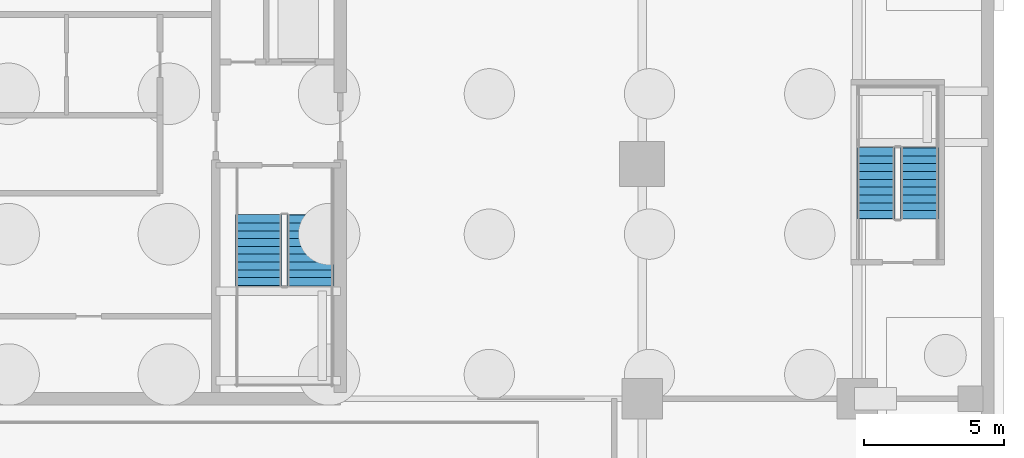
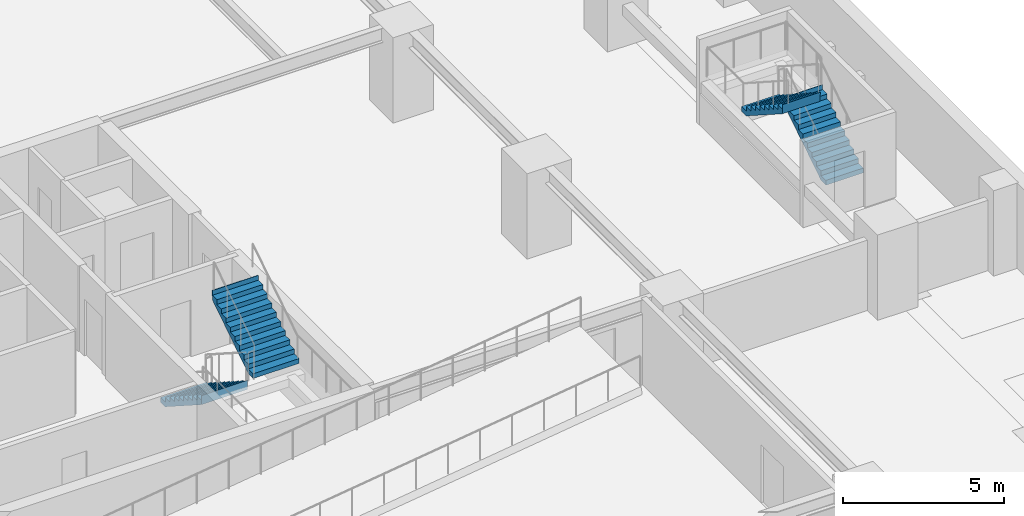
# One storey, part 7 of 12: 4 stair flights, 2 elements without a shape of their own.
"""IFC4 building model written with IfcOpenShell, lengths in metres."""

from ifc_helpers import new_model, si_unit, direction, frame, origin, place, context, subcontext, project, spatial, polygons, material, type_object, element, aggregate, save


model = new_model("IFC4")

# Units and contexts
model_context = context("Model", 3, precision=1e-05, world=origin(), true_north=direction((0.0, 1.0)))
body_context = subcontext(model_context, "Body", "Model", "MODEL_VIEW")
ifc_project = project(units=[si_unit("LENGTHUNIT", "METRE"), si_unit("AREAUNIT", "SQUARE_METRE"), si_unit("VOLUMEUNIT", "CUBIC_METRE"), si_unit("PLANEANGLEUNIT", "RADIAN"), si_unit("MASSUNIT", "GRAM", prefix="KILO")], contexts=[model_context])

# Site, building, storey
site_placement = place(None, origin())
site = spatial("IfcSite", under=ifc_project, at=site_placement, CompositionType="ELEMENT")
building_placement = place(site_placement, origin())
building = spatial("IfcBuilding", under=site, at=building_placement, Name="Serunith Strait Residences", CompositionType="ELEMENT")
storey_placement = place(building_placement, frame((0.0, 0.0, -10.800048828125)))
storey = spatial("IfcBuildingStorey", under=building, at=storey_placement, Name="B03", CompositionType="ELEMENT", Elevation=-10.800048828125)

# Stair, stair flights
ifc_material = material(Name="Concrete C50/60", Category="concrete")
stair_type_1 = type_object("IfcStairType", Name="STR-BSMT-6", PredefinedType="HALF_TURN_STAIR", material=ifc_material)
stair_1_placement = place(storey_placement, origin())
stair_1 = element("IfcStair", 1, at=stair_1_placement, inside=storey, type_object=stair_type_1, Name="B03 Basement Escape Stair ST-6", PredefinedType="HALF_TURN_STAIR")
stair_flight_type_1 = type_object("IfcStairFlightType", Name="FLT-BSMT-6", PredefinedType="STRAIGHT", material=ifc_material)
stair_flight_1_placement = place(storey_placement, frame((62.125, 23.25, 0.0), z_axis=(0.0, 0.0, 1.0), x_axis=(0.0, 1.0, 0.0)))
stair_flight_1 = element("IfcStairFlight", 2, at=stair_flight_1_placement, type_object=stair_flight_type_1, Name="ST-6 flight 1", NumberOfRisers=10, NumberOfTreads=9, PredefinedType="STRAIGHT", RiserHeight=0.18, TreadLength=0.28, context=body_context, shape_type="Tessellation", body=[
    polygons([(-0.02001953125, -0.675048828125, 0.0), (-0.02001953125, -0.675048828125, 0.179931640625), (0.280029296875, -0.675048828125, 0.179931640625), (0.280029296875, -0.675048828125, 0.360107421875), (0.56005859375, -0.675048828125, 0.360107421875), (0.56005859375, -0.675048828125, 0.5400390625), (0.840087890625, -0.675048828125, 0.5400390625), (0.840087890625, -0.675048828125, 0.719970703125), (1.1201171875, -0.675048828125, 0.719970703125), (1.1201171875, -0.675048828125, 0.89990234375), (1.39990234375, -0.675048828125, 0.89990234375), (1.39990234375, -0.675048828125, 1.080078125), (1.679931640625, -0.675048828125, 1.080078125), (1.679931640625, -0.675048828125, 1.260009765625), (1.9599609375, -0.675048828125, 1.260009765625), (1.9599609375, -0.675048828125, 1.43994140625), (2.239990234375, -0.675048828125, 1.43994140625), (2.239990234375, -0.675048828125, 1.6201171875), (2.52001953125, -0.675048828125, 1.6201171875), (2.52001953125, -0.675048828125, 1.800048828125), (2.5400390625, -0.675048828125, 1.800048828125), (2.5400390625, -0.675048828125, 1.739990234375), (2.52001953125, -0.675048828125, 1.44189453125), (0.277099609375, -0.675048828125, 0.0), (-0.02001953125, -0.33740234375, 0.0), (-0.02001953125, -0.33740234375, 0.179931640625), (0.280029296875, -0.33740234375, 0.179931640625), (0.280029296875, -0.33740234375, 0.360107421875), (0.56005859375, -0.33740234375, 0.360107421875), (0.56005859375, -0.33740234375, 0.5400390625), (0.840087890625, -0.33740234375, 0.5400390625), (0.840087890625, -0.33740234375, 0.719970703125), (1.1201171875, -0.33740234375, 0.719970703125), (1.1201171875, -0.33740234375, 0.89990234375), (1.39990234375, -0.33740234375, 0.89990234375), (1.39990234375, -0.33740234375, 1.080078125), (1.679931640625, -0.33740234375, 1.080078125), (1.679931640625, -0.33740234375, 1.260009765625), (1.9599609375, -0.33740234375, 1.260009765625), (1.9599609375, -0.33740234375, 1.43994140625), (2.239990234375, -0.33740234375, 1.43994140625), (2.239990234375, -0.33740234375, 1.6201171875), (2.52001953125, -0.33740234375, 1.6201171875), (2.52001953125, -0.33740234375, 1.800048828125), (2.5400390625, -0.33740234375, 1.800048828125), (2.5400390625, -0.33740234375, 1.739990234375), (2.52001953125, -0.33740234375, 1.44189453125), (0.277099609375, -0.33740234375, 0.0), (-0.02001953125, 0.0, 0.0), (-0.02001953125, 0.0, 0.179931640625), (0.280029296875, 0.0, 0.179931640625), (0.280029296875, 0.0, 0.360107421875), (0.56005859375, 0.0, 0.360107421875), (0.56005859375, 0.0, 0.5400390625), (0.840087890625, 0.0, 0.5400390625), (0.840087890625, 0.0, 0.719970703125), (1.1201171875, 0.0, 0.719970703125), (1.1201171875, 0.0, 0.89990234375), (1.39990234375, 0.0, 0.89990234375), (1.39990234375, 0.0, 1.080078125), (1.679931640625, 0.0, 1.080078125), (1.679931640625, 0.0, 1.260009765625), (1.9599609375, 0.0, 1.260009765625), (1.9599609375, 0.0, 1.43994140625), (2.239990234375, 0.0, 1.43994140625), (2.239990234375, 0.0, 1.6201171875), (2.52001953125, 0.0, 1.6201171875), (2.52001953125, 0.0, 1.800048828125), (2.5400390625, 0.0, 1.800048828125), (2.5400390625, 0.0, 1.739990234375), (2.52001953125, 0.0, 1.44189453125), (0.277099609375, 0.0, 0.0), (-0.02001953125, 0.33740234375, 0.0), (-0.02001953125, 0.33740234375, 0.179931640625), (0.280029296875, 0.33740234375, 0.179931640625), (0.280029296875, 0.33740234375, 0.360107421875), (0.56005859375, 0.33740234375, 0.360107421875), (0.56005859375, 0.33740234375, 0.5400390625), (0.840087890625, 0.33740234375, 0.5400390625), (0.840087890625, 0.33740234375, 0.719970703125), (1.1201171875, 0.33740234375, 0.719970703125), (1.1201171875, 0.33740234375, 0.89990234375), (1.39990234375, 0.33740234375, 0.89990234375), (1.39990234375, 0.33740234375, 1.080078125), (1.679931640625, 0.33740234375, 1.080078125), (1.679931640625, 0.33740234375, 1.260009765625), (1.9599609375, 0.33740234375, 1.260009765625), (1.9599609375, 0.33740234375, 1.43994140625), (2.239990234375, 0.33740234375, 1.43994140625), (2.239990234375, 0.33740234375, 1.6201171875), (2.52001953125, 0.33740234375, 1.6201171875), (2.52001953125, 0.33740234375, 1.800048828125), (2.5400390625, 0.33740234375, 1.800048828125), (2.5400390625, 0.33740234375, 1.739990234375), (2.52001953125, 0.33740234375, 1.44189453125), (0.277099609375, 0.33740234375, 0.0), (-0.02001953125, 0.675048828125, 0.0), (-0.02001953125, 0.675048828125, 0.179931640625), (0.280029296875, 0.675048828125, 0.179931640625), (0.280029296875, 0.675048828125, 0.360107421875), (0.56005859375, 0.675048828125, 0.360107421875), (0.56005859375, 0.675048828125, 0.5400390625), (0.840087890625, 0.675048828125, 0.5400390625), (0.840087890625, 0.675048828125, 0.719970703125), (1.1201171875, 0.675048828125, 0.719970703125), (1.1201171875, 0.675048828125, 0.89990234375), (1.39990234375, 0.675048828125, 0.89990234375), (1.39990234375, 0.675048828125, 1.080078125), (1.679931640625, 0.675048828125, 1.080078125), (1.679931640625, 0.675048828125, 1.260009765625), (1.9599609375, 0.675048828125, 1.260009765625), (1.9599609375, 0.675048828125, 1.43994140625), (2.239990234375, 0.675048828125, 1.43994140625), (2.239990234375, 0.675048828125, 1.6201171875), (2.52001953125, 0.675048828125, 1.6201171875), (2.52001953125, 0.675048828125, 1.800048828125), (2.5400390625, 0.675048828125, 1.800048828125), (2.5400390625, 0.675048828125, 1.739990234375), (2.52001953125, 0.675048828125, 1.44189453125), (0.277099609375, 0.675048828125, 0.0)], [[[1, 2, 26, 25]], [[2, 3, 27, 26]], [[3, 4, 28, 27]], [[4, 5, 29, 28]], [[5, 6, 30, 29]], [[6, 7, 31, 30]], [[7, 8, 32, 31]], [[8, 9, 33, 32]], [[9, 10, 34, 33]], [[10, 11, 35, 34]], [[11, 12, 36, 35]], [[12, 13, 37, 36]], [[13, 14, 38, 37]], [[14, 15, 39, 38]], [[15, 16, 40, 39]], [[16, 17, 41, 40]], [[17, 18, 42, 41]], [[18, 19, 43, 42]], [[19, 20, 44, 43]], [[20, 21, 45, 44]], [[21, 22, 46, 45]], [[22, 23, 47, 46]], [[23, 24, 48, 47]], [[24, 1, 25, 48]], [[25, 26, 50, 49]], [[26, 27, 51, 50]], [[27, 28, 52, 51]], [[28, 29, 53, 52]], [[29, 30, 54, 53]], [[30, 31, 55, 54]], [[31, 32, 56, 55]], [[32, 33, 57, 56]], [[33, 34, 58, 57]], [[34, 35, 59, 58]], [[35, 36, 60, 59]], [[36, 37, 61, 60]], [[37, 38, 62, 61]], [[38, 39, 63, 62]], [[39, 40, 64, 63]], [[40, 41, 65, 64]], [[41, 42, 66, 65]], [[42, 43, 67, 66]], [[43, 44, 68, 67]], [[44, 45, 69, 68]], [[45, 46, 70, 69]], [[46, 47, 71, 70]], [[47, 48, 72, 71]], [[48, 25, 49, 72]], [[49, 50, 74, 73]], [[50, 51, 75, 74]], [[51, 52, 76, 75]], [[52, 53, 77, 76]], [[53, 54, 78, 77]], [[54, 55, 79, 78]], [[55, 56, 80, 79]], [[56, 57, 81, 80]], [[57, 58, 82, 81]], [[58, 59, 83, 82]], [[59, 60, 84, 83]], [[60, 61, 85, 84]], [[61, 62, 86, 85]], [[62, 63, 87, 86]], [[63, 64, 88, 87]], [[64, 65, 89, 88]], [[65, 66, 90, 89]], [[66, 67, 91, 90]], [[67, 68, 92, 91]], [[68, 69, 93, 92]], [[69, 70, 94, 93]], [[70, 71, 95, 94]], [[71, 72, 96, 95]], [[72, 49, 73, 96]], [[73, 74, 98, 97]], [[74, 75, 99, 98]], [[75, 76, 100, 99]], [[76, 77, 101, 100]], [[77, 78, 102, 101]], [[78, 79, 103, 102]], [[79, 80, 104, 103]], [[80, 81, 105, 104]], [[81, 82, 106, 105]], [[82, 83, 107, 106]], [[83, 84, 108, 107]], [[84, 85, 109, 108]], [[85, 86, 110, 109]], [[86, 87, 111, 110]], [[87, 88, 112, 111]], [[88, 89, 113, 112]], [[89, 90, 114, 113]], [[90, 91, 115, 114]], [[91, 92, 116, 115]], [[92, 93, 117, 116]], [[93, 94, 118, 117]], [[94, 95, 119, 118]], [[95, 96, 120, 119]], [[96, 73, 97, 120]], [[24, 23, 22, 21, 20, 19, 18, 17, 16, 15, 14, 13, 12, 11, 10, 9, 8, 7, 6, 5, 4, 3, 2, 1]], [[97, 98, 99, 100, 101, 102, 103, 104, 105, 106, 107, 108, 109, 110, 111, 112, 113, 114, 115, 116, 117, 118, 119, 120]]], closed=True),
])
stair_flight_2_placement = place(storey_placement, frame((60.574951171875, 25.77001953125, 1.800048828125), z_axis=(0.0, 0.0, 1.0), x_axis=(0.0, -1.0, 0.0)))
stair_flight_2 = element("IfcStairFlight", 3, at=stair_flight_2_placement, type_object=stair_flight_type_1, Name="ST-6 flight 2", NumberOfRisers=10, NumberOfTreads=9, PredefinedType="STRAIGHT", RiserHeight=0.18, TreadLength=0.28, context=body_context, shape_type="Tessellation", body=[
    polygons([(-0.02001953125, -0.675048828125, 0.0), (-0.02001953125, -0.675048828125, 0.179931640625), (0.280029296875, -0.675048828125, 0.179931640625), (0.280029296875, -0.675048828125, 0.360107421875), (0.56005859375, -0.675048828125, 0.360107421875), (0.56005859375, -0.675048828125, 0.5400390625), (0.840087890625, -0.675048828125, 0.5400390625), (0.840087890625, -0.675048828125, 0.719970703125), (1.1201171875, -0.675048828125, 0.719970703125), (1.1201171875, -0.675048828125, 0.89990234375), (1.39990234375, -0.675048828125, 0.89990234375), (1.39990234375, -0.675048828125, 1.080078125), (1.679931640625, -0.675048828125, 1.080078125), (1.679931640625, -0.675048828125, 1.260009765625), (1.9599609375, -0.675048828125, 1.260009765625), (1.9599609375, -0.675048828125, 1.43994140625), (2.239990234375, -0.675048828125, 1.43994140625), (2.239990234375, -0.675048828125, 1.6201171875), (2.52001953125, -0.675048828125, 1.6201171875), (2.52001953125, -0.675048828125, 1.800048828125), (2.5400390625, -0.675048828125, 1.800048828125), (2.5400390625, -0.675048828125, 1.739990234375), (2.52001953125, -0.675048828125, 1.44189453125), (0.277099609375, -0.675048828125, 0.0), (-0.02001953125, -0.33740234375, 0.0), (-0.02001953125, -0.33740234375, 0.179931640625), (0.280029296875, -0.33740234375, 0.179931640625), (0.280029296875, -0.33740234375, 0.360107421875), (0.56005859375, -0.33740234375, 0.360107421875), (0.56005859375, -0.33740234375, 0.5400390625), (0.840087890625, -0.33740234375, 0.5400390625), (0.840087890625, -0.33740234375, 0.719970703125), (1.1201171875, -0.33740234375, 0.719970703125), (1.1201171875, -0.33740234375, 0.89990234375), (1.39990234375, -0.33740234375, 0.89990234375), (1.39990234375, -0.33740234375, 1.080078125), (1.679931640625, -0.33740234375, 1.080078125), (1.679931640625, -0.33740234375, 1.260009765625), (1.9599609375, -0.33740234375, 1.260009765625), (1.9599609375, -0.33740234375, 1.43994140625), (2.239990234375, -0.33740234375, 1.43994140625), (2.239990234375, -0.33740234375, 1.6201171875), (2.52001953125, -0.33740234375, 1.6201171875), (2.52001953125, -0.33740234375, 1.800048828125), (2.5400390625, -0.33740234375, 1.800048828125), (2.5400390625, -0.33740234375, 1.739990234375), (2.52001953125, -0.33740234375, 1.44189453125), (0.277099609375, -0.33740234375, 0.0), (-0.02001953125, 0.0, 0.0), (-0.02001953125, 0.0, 0.179931640625), (0.280029296875, 0.0, 0.179931640625), (0.280029296875, 0.0, 0.360107421875), (0.56005859375, 0.0, 0.360107421875), (0.56005859375, 0.0, 0.5400390625), (0.840087890625, 0.0, 0.5400390625), (0.840087890625, 0.0, 0.719970703125), (1.1201171875, 0.0, 0.719970703125), (1.1201171875, 0.0, 0.89990234375), (1.39990234375, 0.0, 0.89990234375), (1.39990234375, 0.0, 1.080078125), (1.679931640625, 0.0, 1.080078125), (1.679931640625, 0.0, 1.260009765625), (1.9599609375, 0.0, 1.260009765625), (1.9599609375, 0.0, 1.43994140625), (2.239990234375, 0.0, 1.43994140625), (2.239990234375, 0.0, 1.6201171875), (2.52001953125, 0.0, 1.6201171875), (2.52001953125, 0.0, 1.800048828125), (2.5400390625, 0.0, 1.800048828125), (2.5400390625, 0.0, 1.739990234375), (2.52001953125, 0.0, 1.44189453125), (0.277099609375, 0.0, 0.0), (-0.02001953125, 0.33740234375, 0.0), (-0.02001953125, 0.33740234375, 0.179931640625), (0.280029296875, 0.33740234375, 0.179931640625), (0.280029296875, 0.33740234375, 0.360107421875), (0.56005859375, 0.33740234375, 0.360107421875), (0.56005859375, 0.33740234375, 0.5400390625), (0.840087890625, 0.33740234375, 0.5400390625), (0.840087890625, 0.33740234375, 0.719970703125), (1.1201171875, 0.33740234375, 0.719970703125), (1.1201171875, 0.33740234375, 0.89990234375), (1.39990234375, 0.33740234375, 0.89990234375), (1.39990234375, 0.33740234375, 1.080078125), (1.679931640625, 0.33740234375, 1.080078125), (1.679931640625, 0.33740234375, 1.260009765625), (1.9599609375, 0.33740234375, 1.260009765625), (1.9599609375, 0.33740234375, 1.43994140625), (2.239990234375, 0.33740234375, 1.43994140625), (2.239990234375, 0.33740234375, 1.6201171875), (2.52001953125, 0.33740234375, 1.6201171875), (2.52001953125, 0.33740234375, 1.800048828125), (2.5400390625, 0.33740234375, 1.800048828125), (2.5400390625, 0.33740234375, 1.739990234375), (2.52001953125, 0.33740234375, 1.44189453125), (0.277099609375, 0.33740234375, 0.0), (-0.02001953125, 0.675048828125, 0.0), (-0.02001953125, 0.675048828125, 0.179931640625), (0.280029296875, 0.675048828125, 0.179931640625), (0.280029296875, 0.675048828125, 0.360107421875), (0.56005859375, 0.675048828125, 0.360107421875), (0.56005859375, 0.675048828125, 0.5400390625), (0.840087890625, 0.675048828125, 0.5400390625), (0.840087890625, 0.675048828125, 0.719970703125), (1.1201171875, 0.675048828125, 0.719970703125), (1.1201171875, 0.675048828125, 0.89990234375), (1.39990234375, 0.675048828125, 0.89990234375), (1.39990234375, 0.675048828125, 1.080078125), (1.679931640625, 0.675048828125, 1.080078125), (1.679931640625, 0.675048828125, 1.260009765625), (1.9599609375, 0.675048828125, 1.260009765625), (1.9599609375, 0.675048828125, 1.43994140625), (2.239990234375, 0.675048828125, 1.43994140625), (2.239990234375, 0.675048828125, 1.6201171875), (2.52001953125, 0.675048828125, 1.6201171875), (2.52001953125, 0.675048828125, 1.800048828125), (2.5400390625, 0.675048828125, 1.800048828125), (2.5400390625, 0.675048828125, 1.739990234375), (2.52001953125, 0.675048828125, 1.44189453125), (0.277099609375, 0.675048828125, 0.0)], [[[1, 2, 26, 25]], [[2, 3, 27, 26]], [[3, 4, 28, 27]], [[4, 5, 29, 28]], [[5, 6, 30, 29]], [[6, 7, 31, 30]], [[7, 8, 32, 31]], [[8, 9, 33, 32]], [[9, 10, 34, 33]], [[10, 11, 35, 34]], [[11, 12, 36, 35]], [[12, 13, 37, 36]], [[13, 14, 38, 37]], [[14, 15, 39, 38]], [[15, 16, 40, 39]], [[16, 17, 41, 40]], [[17, 18, 42, 41]], [[18, 19, 43, 42]], [[19, 20, 44, 43]], [[20, 21, 45, 44]], [[21, 22, 46, 45]], [[22, 23, 47, 46]], [[23, 24, 48, 47]], [[24, 1, 25, 48]], [[25, 26, 50, 49]], [[26, 27, 51, 50]], [[27, 28, 52, 51]], [[28, 29, 53, 52]], [[29, 30, 54, 53]], [[30, 31, 55, 54]], [[31, 32, 56, 55]], [[32, 33, 57, 56]], [[33, 34, 58, 57]], [[34, 35, 59, 58]], [[35, 36, 60, 59]], [[36, 37, 61, 60]], [[37, 38, 62, 61]], [[38, 39, 63, 62]], [[39, 40, 64, 63]], [[40, 41, 65, 64]], [[41, 42, 66, 65]], [[42, 43, 67, 66]], [[43, 44, 68, 67]], [[44, 45, 69, 68]], [[45, 46, 70, 69]], [[46, 47, 71, 70]], [[47, 48, 72, 71]], [[48, 25, 49, 72]], [[49, 50, 74, 73]], [[50, 51, 75, 74]], [[51, 52, 76, 75]], [[52, 53, 77, 76]], [[53, 54, 78, 77]], [[54, 55, 79, 78]], [[55, 56, 80, 79]], [[56, 57, 81, 80]], [[57, 58, 82, 81]], [[58, 59, 83, 82]], [[59, 60, 84, 83]], [[60, 61, 85, 84]], [[61, 62, 86, 85]], [[62, 63, 87, 86]], [[63, 64, 88, 87]], [[64, 65, 89, 88]], [[65, 66, 90, 89]], [[66, 67, 91, 90]], [[67, 68, 92, 91]], [[68, 69, 93, 92]], [[69, 70, 94, 93]], [[70, 71, 95, 94]], [[71, 72, 96, 95]], [[72, 49, 73, 96]], [[73, 74, 98, 97]], [[74, 75, 99, 98]], [[75, 76, 100, 99]], [[76, 77, 101, 100]], [[77, 78, 102, 101]], [[78, 79, 103, 102]], [[79, 80, 104, 103]], [[80, 81, 105, 104]], [[81, 82, 106, 105]], [[82, 83, 107, 106]], [[83, 84, 108, 107]], [[84, 85, 109, 108]], [[85, 86, 110, 109]], [[86, 87, 111, 110]], [[87, 88, 112, 111]], [[88, 89, 113, 112]], [[89, 90, 114, 113]], [[90, 91, 115, 114]], [[91, 92, 116, 115]], [[92, 93, 117, 116]], [[93, 94, 118, 117]], [[94, 95, 119, 118]], [[95, 96, 120, 119]], [[96, 73, 97, 120]], [[24, 23, 22, 21, 20, 19, 18, 17, 16, 15, 14, 13, 12, 11, 10, 9, 8, 7, 6, 5, 4, 3, 2, 1]], [[97, 98, 99, 100, 101, 102, 103, 104, 105, 106, 107, 108, 109, 110, 111, 112, 113, 114, 115, 116, 117, 118, 119, 120]]], closed=True),
])
aggregate(stair_1, [stair_flight_1, stair_flight_2])

stair_type_2 = type_object("IfcStairType", Name="STR-CORE-2", PredefinedType="HALF_TURN_STAIR", material=ifc_material)
stair_2_placement = place(storey_placement, origin())
stair_2 = element("IfcStair", 4, at=stair_2_placement, inside=storey, type_object=stair_type_2, Name="B03 Protected Escape Stair ST-2", PredefinedType="HALF_TURN_STAIR")
stair_flight_type_2 = type_object("IfcStairFlightType", Name="FLT-CORE-2", PredefinedType="STRAIGHT", material=ifc_material)
stair_flight_3_placement = place(storey_placement, frame((38.47509765625, 23.3701171875, 0.0), z_axis=(0.0, 0.0, 1.0), x_axis=(0.0, -1.0, 0.0)))
stair_flight_3 = element("IfcStairFlight", 5, at=stair_flight_3_placement, type_object=stair_flight_type_2, Name="ST-2 flight 1", NumberOfRisers=10, NumberOfTreads=9, PredefinedType="STRAIGHT", RiserHeight=0.18, TreadLength=0.28, context=body_context, shape_type="Tessellation", body=[
    polygons([(-0.02001953125, -0.824951171875, 0.0), (-0.02001953125, -0.824951171875, 0.179931640625), (0.280029296875, -0.824951171875, 0.179931640625), (0.280029296875, -0.824951171875, 0.360107421875), (0.56005859375, -0.824951171875, 0.360107421875), (0.56005859375, -0.824951171875, 0.5400390625), (0.840087890625, -0.824951171875, 0.5400390625), (0.840087890625, -0.824951171875, 0.719970703125), (1.1201171875, -0.824951171875, 0.719970703125), (1.1201171875, -0.824951171875, 0.89990234375), (1.39990234375, -0.824951171875, 0.89990234375), (1.39990234375, -0.824951171875, 1.080078125), (1.679931640625, -0.824951171875, 1.080078125), (1.679931640625, -0.824951171875, 1.260009765625), (1.9599609375, -0.824951171875, 1.260009765625), (1.9599609375, -0.824951171875, 1.43994140625), (2.239990234375, -0.824951171875, 1.43994140625), (2.239990234375, -0.824951171875, 1.6201171875), (2.52001953125, -0.824951171875, 1.6201171875), (2.52001953125, -0.824951171875, 1.800048828125), (2.5400390625, -0.824951171875, 1.800048828125), (2.5400390625, -0.824951171875, 1.739990234375), (2.52001953125, -0.824951171875, 1.44189453125), (0.277099609375, -0.824951171875, 0.0), (-0.02001953125, -0.41259765625, 0.0), (-0.02001953125, -0.41259765625, 0.179931640625), (0.280029296875, -0.41259765625, 0.179931640625), (0.280029296875, -0.41259765625, 0.360107421875), (0.56005859375, -0.41259765625, 0.360107421875), (0.56005859375, -0.41259765625, 0.5400390625), (0.840087890625, -0.41259765625, 0.5400390625), (0.840087890625, -0.41259765625, 0.719970703125), (1.1201171875, -0.41259765625, 0.719970703125), (1.1201171875, -0.41259765625, 0.89990234375), (1.39990234375, -0.41259765625, 0.89990234375), (1.39990234375, -0.41259765625, 1.080078125), (1.679931640625, -0.41259765625, 1.080078125), (1.679931640625, -0.41259765625, 1.260009765625), (1.9599609375, -0.41259765625, 1.260009765625), (1.9599609375, -0.41259765625, 1.43994140625), (2.239990234375, -0.41259765625, 1.43994140625), (2.239990234375, -0.41259765625, 1.6201171875), (2.52001953125, -0.41259765625, 1.6201171875), (2.52001953125, -0.41259765625, 1.800048828125), (2.5400390625, -0.41259765625, 1.800048828125), (2.5400390625, -0.41259765625, 1.739990234375), (2.52001953125, -0.41259765625, 1.44189453125), (0.277099609375, -0.41259765625, 0.0), (-0.02001953125, 0.0, 0.0), (-0.02001953125, 0.0, 0.179931640625), (0.280029296875, 0.0, 0.179931640625), (0.280029296875, 0.0, 0.360107421875), (0.56005859375, 0.0, 0.360107421875), (0.56005859375, 0.0, 0.5400390625), (0.840087890625, 0.0, 0.5400390625), (0.840087890625, 0.0, 0.719970703125), (1.1201171875, 0.0, 0.719970703125), (1.1201171875, 0.0, 0.89990234375), (1.39990234375, 0.0, 0.89990234375), (1.39990234375, 0.0, 1.080078125), (1.679931640625, 0.0, 1.080078125), (1.679931640625, 0.0, 1.260009765625), (1.9599609375, 0.0, 1.260009765625), (1.9599609375, 0.0, 1.43994140625), (2.239990234375, 0.0, 1.43994140625), (2.239990234375, 0.0, 1.6201171875), (2.52001953125, 0.0, 1.6201171875), (2.52001953125, 0.0, 1.800048828125), (2.5400390625, 0.0, 1.800048828125), (2.5400390625, 0.0, 1.739990234375), (2.52001953125, 0.0, 1.44189453125), (0.277099609375, 0.0, 0.0), (-0.02001953125, 0.41259765625, 0.0), (-0.02001953125, 0.41259765625, 0.179931640625), (0.280029296875, 0.41259765625, 0.179931640625), (0.280029296875, 0.41259765625, 0.360107421875), (0.56005859375, 0.41259765625, 0.360107421875), (0.56005859375, 0.41259765625, 0.5400390625), (0.840087890625, 0.41259765625, 0.5400390625), (0.840087890625, 0.41259765625, 0.719970703125), (1.1201171875, 0.41259765625, 0.719970703125), (1.1201171875, 0.41259765625, 0.89990234375), (1.39990234375, 0.41259765625, 0.89990234375), (1.39990234375, 0.41259765625, 1.080078125), (1.679931640625, 0.41259765625, 1.080078125), (1.679931640625, 0.41259765625, 1.260009765625), (1.9599609375, 0.41259765625, 1.260009765625), (1.9599609375, 0.41259765625, 1.43994140625), (2.239990234375, 0.41259765625, 1.43994140625), (2.239990234375, 0.41259765625, 1.6201171875), (2.52001953125, 0.41259765625, 1.6201171875), (2.52001953125, 0.41259765625, 1.800048828125), (2.5400390625, 0.41259765625, 1.800048828125), (2.5400390625, 0.41259765625, 1.739990234375), (2.52001953125, 0.41259765625, 1.44189453125), (0.277099609375, 0.41259765625, 0.0), (-0.02001953125, 0.824951171875, 0.0), (-0.02001953125, 0.824951171875, 0.179931640625), (0.280029296875, 0.824951171875, 0.179931640625), (0.280029296875, 0.824951171875, 0.360107421875), (0.56005859375, 0.824951171875, 0.360107421875), (0.56005859375, 0.824951171875, 0.5400390625), (0.840087890625, 0.824951171875, 0.5400390625), (0.840087890625, 0.824951171875, 0.719970703125), (1.1201171875, 0.824951171875, 0.719970703125), (1.1201171875, 0.824951171875, 0.89990234375), (1.39990234375, 0.824951171875, 0.89990234375), (1.39990234375, 0.824951171875, 1.080078125), (1.679931640625, 0.824951171875, 1.080078125), (1.679931640625, 0.824951171875, 1.260009765625), (1.9599609375, 0.824951171875, 1.260009765625), (1.9599609375, 0.824951171875, 1.43994140625), (2.239990234375, 0.824951171875, 1.43994140625), (2.239990234375, 0.824951171875, 1.6201171875), (2.52001953125, 0.824951171875, 1.6201171875), (2.52001953125, 0.824951171875, 1.800048828125), (2.5400390625, 0.824951171875, 1.800048828125), (2.5400390625, 0.824951171875, 1.739990234375), (2.52001953125, 0.824951171875, 1.44189453125), (0.277099609375, 0.824951171875, 0.0)], [[[1, 2, 26, 25]], [[2, 3, 27, 26]], [[3, 4, 28, 27]], [[4, 5, 29, 28]], [[5, 6, 30, 29]], [[6, 7, 31, 30]], [[7, 8, 32, 31]], [[8, 9, 33, 32]], [[9, 10, 34, 33]], [[10, 11, 35, 34]], [[11, 12, 36, 35]], [[12, 13, 37, 36]], [[13, 14, 38, 37]], [[14, 15, 39, 38]], [[15, 16, 40, 39]], [[16, 17, 41, 40]], [[17, 18, 42, 41]], [[18, 19, 43, 42]], [[19, 20, 44, 43]], [[20, 21, 45, 44]], [[21, 22, 46, 45]], [[22, 23, 47, 46]], [[23, 24, 48, 47]], [[24, 1, 25, 48]], [[25, 26, 50, 49]], [[26, 27, 51, 50]], [[27, 28, 52, 51]], [[28, 29, 53, 52]], [[29, 30, 54, 53]], [[30, 31, 55, 54]], [[31, 32, 56, 55]], [[32, 33, 57, 56]], [[33, 34, 58, 57]], [[34, 35, 59, 58]], [[35, 36, 60, 59]], [[36, 37, 61, 60]], [[37, 38, 62, 61]], [[38, 39, 63, 62]], [[39, 40, 64, 63]], [[40, 41, 65, 64]], [[41, 42, 66, 65]], [[42, 43, 67, 66]], [[43, 44, 68, 67]], [[44, 45, 69, 68]], [[45, 46, 70, 69]], [[46, 47, 71, 70]], [[47, 48, 72, 71]], [[48, 25, 49, 72]], [[49, 50, 74, 73]], [[50, 51, 75, 74]], [[51, 52, 76, 75]], [[52, 53, 77, 76]], [[53, 54, 78, 77]], [[54, 55, 79, 78]], [[55, 56, 80, 79]], [[56, 57, 81, 80]], [[57, 58, 82, 81]], [[58, 59, 83, 82]], [[59, 60, 84, 83]], [[60, 61, 85, 84]], [[61, 62, 86, 85]], [[62, 63, 87, 86]], [[63, 64, 88, 87]], [[64, 65, 89, 88]], [[65, 66, 90, 89]], [[66, 67, 91, 90]], [[67, 68, 92, 91]], [[68, 69, 93, 92]], [[69, 70, 94, 93]], [[70, 71, 95, 94]], [[71, 72, 96, 95]], [[72, 49, 73, 96]], [[73, 74, 98, 97]], [[74, 75, 99, 98]], [[75, 76, 100, 99]], [[76, 77, 101, 100]], [[77, 78, 102, 101]], [[78, 79, 103, 102]], [[79, 80, 104, 103]], [[80, 81, 105, 104]], [[81, 82, 106, 105]], [[82, 83, 107, 106]], [[83, 84, 108, 107]], [[84, 85, 109, 108]], [[85, 86, 110, 109]], [[86, 87, 111, 110]], [[87, 88, 112, 111]], [[88, 89, 113, 112]], [[89, 90, 114, 113]], [[90, 91, 115, 114]], [[91, 92, 116, 115]], [[92, 93, 117, 116]], [[93, 94, 118, 117]], [[94, 95, 119, 118]], [[95, 96, 120, 119]], [[96, 73, 97, 120]], [[24, 23, 22, 21, 20, 19, 18, 17, 16, 15, 14, 13, 12, 11, 10, 9, 8, 7, 6, 5, 4, 3, 2, 1]], [[97, 98, 99, 100, 101, 102, 103, 104, 105, 106, 107, 108, 109, 110, 111, 112, 113, 114, 115, 116, 117, 118, 119, 120]]], closed=True),
])
stair_flight_4_placement = place(storey_placement, frame((40.324951171875, 20.85009765625, 1.800048828125), z_axis=(0.0, 0.0, 1.0), x_axis=(0.0, 1.0, 0.0)))
stair_flight_4 = element("IfcStairFlight", 6, at=stair_flight_4_placement, type_object=stair_flight_type_2, Name="ST-2 flight 2", NumberOfRisers=10, NumberOfTreads=9, PredefinedType="STRAIGHT", RiserHeight=0.18, TreadLength=0.28, context=body_context, shape_type="Tessellation", body=[
    polygons([(-0.02001953125, -0.824951171875, 0.0), (-0.02001953125, -0.824951171875, 0.179931640625), (0.280029296875, -0.824951171875, 0.179931640625), (0.280029296875, -0.824951171875, 0.360107421875), (0.56005859375, -0.824951171875, 0.360107421875), (0.56005859375, -0.824951171875, 0.5400390625), (0.840087890625, -0.824951171875, 0.5400390625), (0.840087890625, -0.824951171875, 0.719970703125), (1.1201171875, -0.824951171875, 0.719970703125), (1.1201171875, -0.824951171875, 0.89990234375), (1.39990234375, -0.824951171875, 0.89990234375), (1.39990234375, -0.824951171875, 1.080078125), (1.679931640625, -0.824951171875, 1.080078125), (1.679931640625, -0.824951171875, 1.260009765625), (1.9599609375, -0.824951171875, 1.260009765625), (1.9599609375, -0.824951171875, 1.43994140625), (2.239990234375, -0.824951171875, 1.43994140625), (2.239990234375, -0.824951171875, 1.6201171875), (2.52001953125, -0.824951171875, 1.6201171875), (2.52001953125, -0.824951171875, 1.800048828125), (2.5400390625, -0.824951171875, 1.800048828125), (2.5400390625, -0.824951171875, 1.739990234375), (2.52001953125, -0.824951171875, 1.44189453125), (0.277099609375, -0.824951171875, 0.0), (-0.02001953125, -0.41259765625, 0.0), (-0.02001953125, -0.41259765625, 0.179931640625), (0.280029296875, -0.41259765625, 0.179931640625), (0.280029296875, -0.41259765625, 0.360107421875), (0.56005859375, -0.41259765625, 0.360107421875), (0.56005859375, -0.41259765625, 0.5400390625), (0.840087890625, -0.41259765625, 0.5400390625), (0.840087890625, -0.41259765625, 0.719970703125), (1.1201171875, -0.41259765625, 0.719970703125), (1.1201171875, -0.41259765625, 0.89990234375), (1.39990234375, -0.41259765625, 0.89990234375), (1.39990234375, -0.41259765625, 1.080078125), (1.679931640625, -0.41259765625, 1.080078125), (1.679931640625, -0.41259765625, 1.260009765625), (1.9599609375, -0.41259765625, 1.260009765625), (1.9599609375, -0.41259765625, 1.43994140625), (2.239990234375, -0.41259765625, 1.43994140625), (2.239990234375, -0.41259765625, 1.6201171875), (2.52001953125, -0.41259765625, 1.6201171875), (2.52001953125, -0.41259765625, 1.800048828125), (2.5400390625, -0.41259765625, 1.800048828125), (2.5400390625, -0.41259765625, 1.739990234375), (2.52001953125, -0.41259765625, 1.44189453125), (0.277099609375, -0.41259765625, 0.0), (-0.02001953125, 0.0, 0.0), (-0.02001953125, 0.0, 0.179931640625), (0.280029296875, 0.0, 0.179931640625), (0.280029296875, 0.0, 0.360107421875), (0.56005859375, 0.0, 0.360107421875), (0.56005859375, 0.0, 0.5400390625), (0.840087890625, 0.0, 0.5400390625), (0.840087890625, 0.0, 0.719970703125), (1.1201171875, 0.0, 0.719970703125), (1.1201171875, 0.0, 0.89990234375), (1.39990234375, 0.0, 0.89990234375), (1.39990234375, 0.0, 1.080078125), (1.679931640625, 0.0, 1.080078125), (1.679931640625, 0.0, 1.260009765625), (1.9599609375, 0.0, 1.260009765625), (1.9599609375, 0.0, 1.43994140625), (2.239990234375, 0.0, 1.43994140625), (2.239990234375, 0.0, 1.6201171875), (2.52001953125, 0.0, 1.6201171875), (2.52001953125, 0.0, 1.800048828125), (2.5400390625, 0.0, 1.800048828125), (2.5400390625, 0.0, 1.739990234375), (2.52001953125, 0.0, 1.44189453125), (0.277099609375, 0.0, 0.0), (-0.02001953125, 0.41259765625, 0.0), (-0.02001953125, 0.41259765625, 0.179931640625), (0.280029296875, 0.41259765625, 0.179931640625), (0.280029296875, 0.41259765625, 0.360107421875), (0.56005859375, 0.41259765625, 0.360107421875), (0.56005859375, 0.41259765625, 0.5400390625), (0.840087890625, 0.41259765625, 0.5400390625), (0.840087890625, 0.41259765625, 0.719970703125), (1.1201171875, 0.41259765625, 0.719970703125), (1.1201171875, 0.41259765625, 0.89990234375), (1.39990234375, 0.41259765625, 0.89990234375), (1.39990234375, 0.41259765625, 1.080078125), (1.679931640625, 0.41259765625, 1.080078125), (1.679931640625, 0.41259765625, 1.260009765625), (1.9599609375, 0.41259765625, 1.260009765625), (1.9599609375, 0.41259765625, 1.43994140625), (2.239990234375, 0.41259765625, 1.43994140625), (2.239990234375, 0.41259765625, 1.6201171875), (2.52001953125, 0.41259765625, 1.6201171875), (2.52001953125, 0.41259765625, 1.800048828125), (2.5400390625, 0.41259765625, 1.800048828125), (2.5400390625, 0.41259765625, 1.739990234375), (2.52001953125, 0.41259765625, 1.44189453125), (0.277099609375, 0.41259765625, 0.0), (-0.02001953125, 0.824951171875, 0.0), (-0.02001953125, 0.824951171875, 0.179931640625), (0.280029296875, 0.824951171875, 0.179931640625), (0.280029296875, 0.824951171875, 0.360107421875), (0.56005859375, 0.824951171875, 0.360107421875), (0.56005859375, 0.824951171875, 0.5400390625), (0.840087890625, 0.824951171875, 0.5400390625), (0.840087890625, 0.824951171875, 0.719970703125), (1.1201171875, 0.824951171875, 0.719970703125), (1.1201171875, 0.824951171875, 0.89990234375), (1.39990234375, 0.824951171875, 0.89990234375), (1.39990234375, 0.824951171875, 1.080078125), (1.679931640625, 0.824951171875, 1.080078125), (1.679931640625, 0.824951171875, 1.260009765625), (1.9599609375, 0.824951171875, 1.260009765625), (1.9599609375, 0.824951171875, 1.43994140625), (2.239990234375, 0.824951171875, 1.43994140625), (2.239990234375, 0.824951171875, 1.6201171875), (2.52001953125, 0.824951171875, 1.6201171875), (2.52001953125, 0.824951171875, 1.800048828125), (2.5400390625, 0.824951171875, 1.800048828125), (2.5400390625, 0.824951171875, 1.739990234375), (2.52001953125, 0.824951171875, 1.44189453125), (0.277099609375, 0.824951171875, 0.0)], [[[1, 2, 26, 25]], [[2, 3, 27, 26]], [[3, 4, 28, 27]], [[4, 5, 29, 28]], [[5, 6, 30, 29]], [[6, 7, 31, 30]], [[7, 8, 32, 31]], [[8, 9, 33, 32]], [[9, 10, 34, 33]], [[10, 11, 35, 34]], [[11, 12, 36, 35]], [[12, 13, 37, 36]], [[13, 14, 38, 37]], [[14, 15, 39, 38]], [[15, 16, 40, 39]], [[16, 17, 41, 40]], [[17, 18, 42, 41]], [[18, 19, 43, 42]], [[19, 20, 44, 43]], [[20, 21, 45, 44]], [[21, 22, 46, 45]], [[22, 23, 47, 46]], [[23, 24, 48, 47]], [[24, 1, 25, 48]], [[25, 26, 50, 49]], [[26, 27, 51, 50]], [[27, 28, 52, 51]], [[28, 29, 53, 52]], [[29, 30, 54, 53]], [[30, 31, 55, 54]], [[31, 32, 56, 55]], [[32, 33, 57, 56]], [[33, 34, 58, 57]], [[34, 35, 59, 58]], [[35, 36, 60, 59]], [[36, 37, 61, 60]], [[37, 38, 62, 61]], [[38, 39, 63, 62]], [[39, 40, 64, 63]], [[40, 41, 65, 64]], [[41, 42, 66, 65]], [[42, 43, 67, 66]], [[43, 44, 68, 67]], [[44, 45, 69, 68]], [[45, 46, 70, 69]], [[46, 47, 71, 70]], [[47, 48, 72, 71]], [[48, 25, 49, 72]], [[49, 50, 74, 73]], [[50, 51, 75, 74]], [[51, 52, 76, 75]], [[52, 53, 77, 76]], [[53, 54, 78, 77]], [[54, 55, 79, 78]], [[55, 56, 80, 79]], [[56, 57, 81, 80]], [[57, 58, 82, 81]], [[58, 59, 83, 82]], [[59, 60, 84, 83]], [[60, 61, 85, 84]], [[61, 62, 86, 85]], [[62, 63, 87, 86]], [[63, 64, 88, 87]], [[64, 65, 89, 88]], [[65, 66, 90, 89]], [[66, 67, 91, 90]], [[67, 68, 92, 91]], [[68, 69, 93, 92]], [[69, 70, 94, 93]], [[70, 71, 95, 94]], [[71, 72, 96, 95]], [[72, 49, 73, 96]], [[73, 74, 98, 97]], [[74, 75, 99, 98]], [[75, 76, 100, 99]], [[76, 77, 101, 100]], [[77, 78, 102, 101]], [[78, 79, 103, 102]], [[79, 80, 104, 103]], [[80, 81, 105, 104]], [[81, 82, 106, 105]], [[82, 83, 107, 106]], [[83, 84, 108, 107]], [[84, 85, 109, 108]], [[85, 86, 110, 109]], [[86, 87, 111, 110]], [[87, 88, 112, 111]], [[88, 89, 113, 112]], [[89, 90, 114, 113]], [[90, 91, 115, 114]], [[91, 92, 116, 115]], [[92, 93, 117, 116]], [[93, 94, 118, 117]], [[94, 95, 119, 118]], [[95, 96, 120, 119]], [[96, 73, 97, 120]], [[24, 23, 22, 21, 20, 19, 18, 17, 16, 15, 14, 13, 12, 11, 10, 9, 8, 7, 6, 5, 4, 3, 2, 1]], [[97, 98, 99, 100, 101, 102, 103, 104, 105, 106, 107, 108, 109, 110, 111, 112, 113, 114, 115, 116, 117, 118, 119, 120]]], closed=True),
])
aggregate(stair_2, [stair_flight_3, stair_flight_4])

save(model, "model.ifc")
